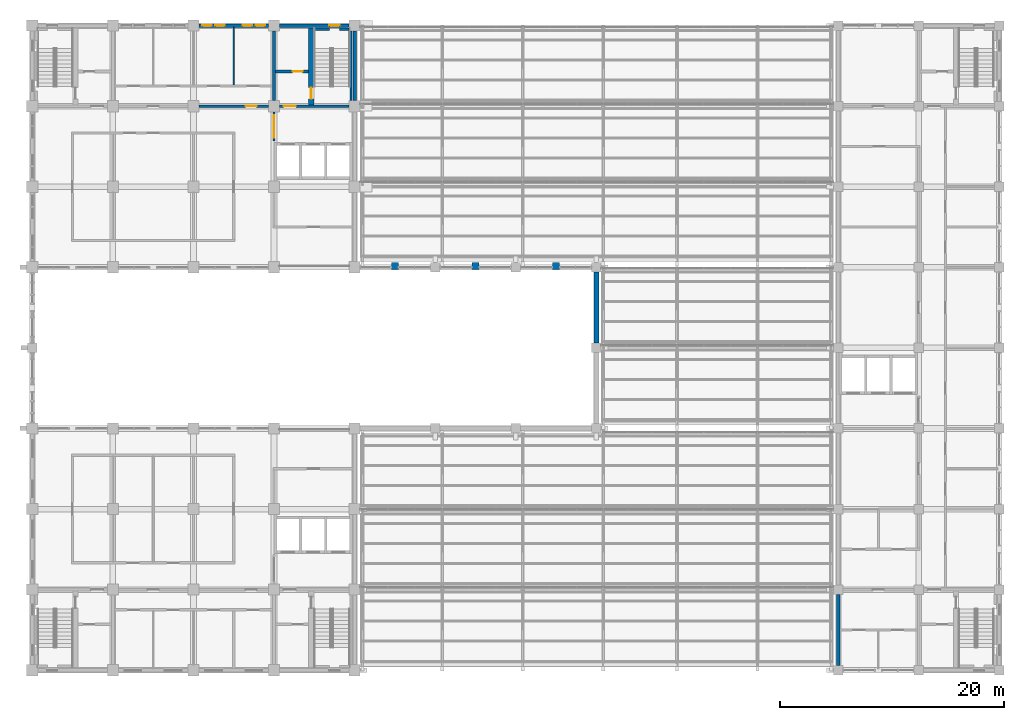
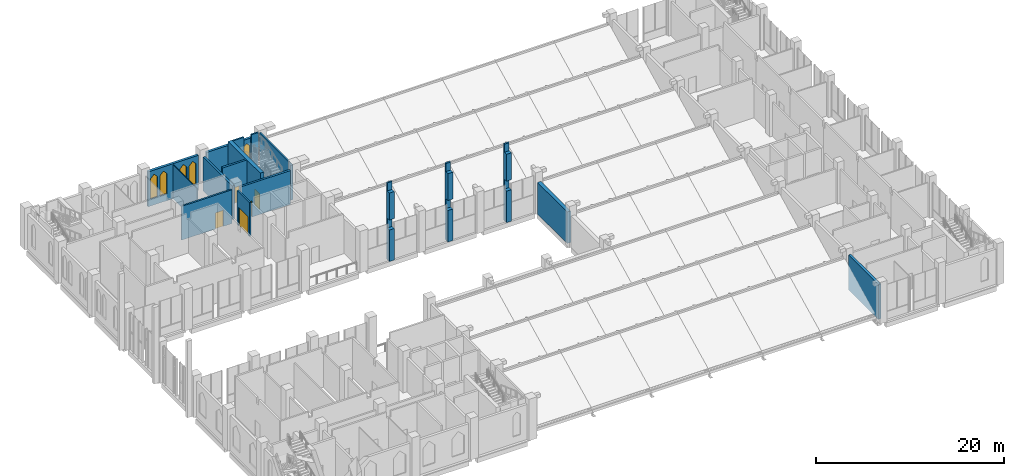
# One storey, part 73 of 83: 18 walls, 5 doors, 5 windows, 10 openings.
"""IFC4 building model written with IfcOpenShell, lengths in metres."""

import ifcopenshell
import ifcopenshell.guid

model = None  # the IFC model being written
_history = None  # IfcOwnerHistory: only IFC2X3 demands one
_inside = {}  # id of a spatial element -> (the spatial element, [elements in it])
_under = {}  # id of a project, library or spatial element -> (it, [spatial elements below it])
_declared = {}  # id of a project -> (the project, [libraries it declares])
_typed = {}  # id of a type object -> (the type object, [elements of that type])
_made_of = {}  # id of a material, layer set ... -> (it, [elements and type objects made of it])


def new_model(schema):
    """Start an empty IFC model of exactly this schema.

    Asked for "IFC4X3", IfcOpenShell would pick the latest addendum, in which some entities
    have other attributes; the version numbers below select the first issue.
    IFC2X3 requires an IfcOwnerHistory on every rooted entity: one is made here for all.
    """
    global model, _history
    if schema == "IFC4X3":
        model = ifcopenshell.file(schema_version=(4, 3, 0, 0))
    else:
        model = ifcopenshell.file(schema=schema)
    _inside.clear()
    _under.clear()
    _declared.clear()
    _typed.clear()
    _made_of.clear()
    _history = None
    if model.schema == "IFC2X3":
        org = make("IfcOrganization", Name="unknown")
        user = make(
            "IfcPersonAndOrganization",
            ThePerson=make("IfcPerson", FamilyName="unknown"),
            TheOrganization=org,
        )
        app = make(
            "IfcApplication",
            ApplicationDeveloper=org,
            Version="unknown",
            ApplicationFullName="unknown",
            ApplicationIdentifier="unknown",
        )
        _history = make(
            "IfcOwnerHistory",
            OwningUser=user,
            OwningApplication=app,
            ChangeAction="ADDED",
            CreationDate=0,
        )
    return model


def make(cls, **values):
    """One entity of the class cls with the attributes given. An attribute that is None is left unset."""
    return model.create_entity(
        cls, **{name: value for name, value in values.items() if value is not None}
    )


def rooted(cls, **values):
    """An entity with a GlobalId (a new one), such as an element, a storey or a relation."""
    return make(cls, GlobalId=ifcopenshell.guid.new(), OwnerHistory=_history, **values)


def si_unit(unit_type, name, prefix=None):
    """IfcSIUnit, for example si_unit("LENGTHUNIT", "METRE", prefix="MILLI")."""
    return make("IfcSIUnit", UnitType=unit_type, Prefix=prefix, Name=name)


def assignment(units):
    """IfcUnitAssignment: the units of a project."""
    return None if units is None else make("IfcUnitAssignment", Units=units)


def point(xyz):
    """IfcCartesianPoint."""
    return None if xyz is None else make("IfcCartesianPoint", Coordinates=xyz)


def direction(xyz):
    """IfcDirection."""
    return None if xyz is None else make("IfcDirection", DirectionRatios=xyz)


def frame(location, z_axis=None, x_axis=None):
    """IfcAxis2Placement3D, a coordinate frame: its origin and axes. An axis left out is left unset."""
    return make(
        "IfcAxis2Placement3D",
        Location=point(location),
        Axis=direction(z_axis),
        RefDirection=direction(x_axis),
    )


def frame_2d(location, x_axis=None):
    """IfcAxis2Placement2D, a coordinate frame in the plane: its origin and x axis."""
    return make(
        "IfcAxis2Placement2D", Location=point(location), RefDirection=direction(x_axis)
    )


def origin():
    """The frame at (0, 0, 0) with its axes left unset."""
    return frame((0.0, 0.0, 0.0))


def place(relative_to, where):
    """IfcLocalPlacement: puts the frame where relative to a parent placement (None: the world)."""
    return make(
        "IfcLocalPlacement", PlacementRelTo=relative_to, RelativePlacement=where
    )


def context(
    kind, dimensions, precision=None, world=None, true_north=None, identifier=None
):
    """IfcGeometricRepresentationContext, for example the 3D "Model" context."""
    return make(
        "IfcGeometricRepresentationContext",
        ContextIdentifier=identifier,
        ContextType=kind,
        CoordinateSpaceDimension=dimensions,
        Precision=precision,
        WorldCoordinateSystem=world,
        TrueNorth=true_north,
    )


def subcontext(parent, identifier, kind, view, scale=None):
    """IfcGeometricRepresentationSubContext, for example "Body" below "Model"."""
    return make(
        "IfcGeometricRepresentationSubContext",
        ContextIdentifier=identifier,
        ContextType=kind,
        ParentContext=parent,
        TargetScale=scale,
        TargetView=view,
    )


def project(units=None, contexts=None):
    """IfcProject with its units and contexts."""
    return rooted(
        "IfcProject",
        Name="project",
        RepresentationContexts=contexts,
        UnitsInContext=assignment(units),
    )


def spatial(cls, under=None, at=None, **own):
    """A site, building, storey or space (cls), placed at a placement, below another one or the project."""
    s = rooted(cls, ObjectPlacement=at, **own)
    if under is not None:
        _under.setdefault(under.id(), (under, []))[1].append(s)
    return s


def polyline(points):
    """IfcPolyline through the points."""
    return make("IfcPolyline", Points=[point(p) for p in points])


def profile(cls, at=None, kind="AREA", **sizes):
    """A parametric profile (cls). Its sizes go by their IFC names, for example OverallWidth=200.0."""
    return make(cls, ProfileType=kind, Position=at, **sizes)


def rectangle(**sizes):
    """IfcRectangleProfileDef."""
    return profile("IfcRectangleProfileDef", **sizes)


def outline(outer, holes=None, kind="AREA"):
    """IfcArbitraryClosedProfileDef: a profile drawn as a closed curve; with holes, ...WithVoids."""
    if holes is None:
        return make("IfcArbitraryClosedProfileDef", ProfileType=kind, OuterCurve=outer)
    return make(
        "IfcArbitraryProfileDefWithVoids",
        ProfileType=kind,
        OuterCurve=outer,
        InnerCurves=holes,
    )


def extrude(swept, where, along, depth):
    """IfcExtrudedAreaSolid: the profile swept, set in the frame where, extruded along a direction by depth."""
    return make(
        "IfcExtrudedAreaSolid",
        SweptArea=swept,
        Position=where,
        ExtrudedDirection=direction(along),
        Depth=depth,
    )


def shape(context_of_items, identifier, shape_type, items):
    """IfcShapeRepresentation: the items that make up one representation, for example the "Body"."""
    return make(
        "IfcShapeRepresentation",
        ContextOfItems=context_of_items,
        RepresentationIdentifier=identifier,
        RepresentationType=shape_type,
        Items=items,
    )


def material(Name=None, Category=None):
    """IfcMaterial."""
    return make("IfcMaterial", Name=Name, Category=Category)


def layer(
    of_material, thickness, ventilated=None, Name=None, Category=None, Priority=None
):
    """IfcMaterialLayer: one layer of a wall or slab, of a material (None: an air gap)."""
    return make(
        "IfcMaterialLayer",
        Material=of_material,
        LayerThickness=thickness,
        IsVentilated=ventilated,
        Name=Name,
        Category=Category,
        Priority=Priority,
    )


def layer_set(layers, Name=None):
    """IfcMaterialLayerSet."""
    return make("IfcMaterialLayerSet", MaterialLayers=layers, LayerSetName=Name)


def made_of(thing, what):
    """Note that an element or type object is made of a material, layer set ...; save() writes the relation."""
    if what is not None:
        _made_of.setdefault(what.id(), (what, []))[1].append(thing)
    return thing


def type_object(cls, material=None, **own):
    """A type object (cls), such as IfcWallType, which elements share."""
    return made_of(rooted(cls, **own), material)


def element(
    cls,
    number,
    at=None,
    inside=None,
    cuts=None,
    type_object=None,
    material=None,
    context=None,
    identifier="Body",
    shape_type=None,
    held_by="IfcProductDefinitionShape",
    body=None,
    shapes=None,
    **own,
):
    """One element of the class cls, such as IfcWall. Its Tag is "e" and its number.

    at: its placement. inside: the storey or other place that contains it. cuts: it is an
    opening in that element (IfcRelVoidsElement). A single representation is given by context,
    identifier, shape_type and body (its items); several are given by shapes. held_by: the class
    of the entity that holds the representations. save() writes the other relations.
    """
    e = rooted(cls, Tag="e%d" % number, ObjectPlacement=at, **own)
    if body is not None:
        shapes = [shape(context, identifier, shape_type, body)]
    if shapes is not None:
        e.Representation = make(held_by, Representations=shapes)
    if inside is not None:
        _inside.setdefault(inside.id(), (inside, []))[1].append(e)
    if cuts is not None:
        rooted(
            "IfcRelVoidsElement", RelatingBuildingElement=cuts, RelatedOpeningElement=e
        )
    if type_object is not None:
        _typed.setdefault(type_object.id(), (type_object, []))[1].append(e)
    return made_of(e, material)


def fill(opening, filler):
    """IfcRelFillsElement: the door or window that sits in an opening."""
    return rooted(
        "IfcRelFillsElement",
        RelatingOpeningElement=opening,
        RelatedBuildingElement=filler,
    )


def aggregate(whole, parts):
    """IfcRelAggregates: a whole, such as a stair, and the parts it consists of."""
    return rooted("IfcRelAggregates", RelatingObject=whole, RelatedObjects=parts)


def save(model, path):
    """Write the relations noted so far, then the file.

    IfcRelAggregates (storeys below a building ...), IfcRelContainedInSpatialStructure (elements
    in a storey), IfcRelDefinesByType, IfcRelAssociatesMaterial and IfcRelDeclares: one each for
    every whole, place, type object, material and project.
    """
    for whole, parts in _under.values():
        aggregate(whole, parts)
    for where, things in _inside.values():
        rooted(
            "IfcRelContainedInSpatialStructure",
            RelatedElements=things,
            RelatingStructure=where,
        )
    for kind, things in _typed.values():
        rooted("IfcRelDefinesByType", RelatedObjects=things, RelatingType=kind)
    for what, things in _made_of.values():
        rooted("IfcRelAssociatesMaterial", RelatedObjects=things, RelatingMaterial=what)
    for by, libraries in _declared.values():
        rooted("IfcRelDeclares", RelatingContext=by, RelatedDefinitions=libraries)
    model.write(path)


model = new_model("IFC4")

# Units and contexts
model_context = context("Model", 3, precision=1e-05, world=origin(), true_north=direction((0.0, 1.0)))
body_context = subcontext(model_context, "Body", "Model", "MODEL_VIEW")
ifc_project = project(units=[si_unit("LENGTHUNIT", "METRE"), si_unit("AREAUNIT", "SQUARE_METRE"), si_unit("VOLUMEUNIT", "CUBIC_METRE"), si_unit("PLANEANGLEUNIT", "RADIAN"), si_unit("MASSUNIT", "GRAM", prefix="KILO")], contexts=[model_context])

# Site, building, storey
site_placement = place(None, origin())
site = spatial("IfcSite", under=ifc_project, at=site_placement, CompositionType="ELEMENT")
building_placement = place(site_placement, origin())
building = spatial("IfcBuilding", under=site, at=building_placement, Name="Silangan Lancet Faculty of Sciences", CompositionType="ELEMENT")
storey_placement = place(building_placement, frame((0.0, 0.0, 11.39990234375)))
storey = spatial("IfcBuildingStorey", under=building, at=storey_placement, Name="L02", CompositionType="ELEMENT", Elevation=11.39990234375)

# Wall, opening, window
ifc_material_1 = material(Name="Concrete C40/50 precast", Category="concrete")
ifc_layer_1 = layer(ifc_material_1, 0.300048828125)
ifc_layer_set_1 = layer_set([ifc_layer_1], Name="Concrete C40/50 precast")
wall_type_1 = type_object("IfcWallType", Name="EW2 Turret enclosure wall", PredefinedType="STANDARD", material=ifc_layer_set_1)
wall_1_placement = place(storey_placement, frame((28.300048828125, 57.60009765625, 0.0), z_axis=(0.0, 0.0, 1.0), x_axis=(-1.0, 0.0, 0.0)))
wall_1 = element("IfcWall", 1, at=wall_1_placement, inside=storey, type_object=wall_type_1, Name="EW-L02-N-NT-00", PredefinedType="STANDARD", context=body_context, shape_type="SweptSolid", body=[
    extrude(rectangle(XDim=6.199951171875, YDim=0.300048828125, at=frame_2d((3.10009765625, 0.0))), origin(), (0.0, 0.0, 1.0), 4.550048828125),
])
opening_1_placement = place(wall_1_placement, frame((0.85009765625, 0.0, 0.89990234375)))
opening_1 = element("IfcOpeningElement", 2, at=opening_1_placement, cuts=wall_1, Name="Opening W8", PredefinedType="OPENING", context=body_context, shape_type="SweptSolid", body=[
    extrude(outline(polyline([(0.0, 0.0), (0.89990234375, 0.0), (0.89990234375, 2.650146484375), (0.449951171875, 3.10009765625), (0.0, 2.650146484375), (0.0, 0.0)])), frame((0.0, 0.159912109375, 0.0), z_axis=(0.0, -1.0, 0.0), x_axis=(1.0, 0.0, 0.0)), (0.0, 0.0, 1.0), 0.320068359375),
])
ifc_material_2 = material(Name="Aluminium frame, laminated double glazing", Category="aluminium")
window_type_1 = type_object("IfcWindowType", Name="W8 Lancet window 900 x 3100", PartitioningType="SINGLE_PANEL", PredefinedType="WINDOW", material=ifc_material_2)
window_1_placement = place(opening_1_placement, origin())
window_1 = element("IfcWindow", 3, at=window_1_placement, inside=storey, type_object=window_type_1, Name="WIN-L02-N-NT-00a", OverallHeight=3.10009765625, OverallWidth=0.89990234375, PartitioningType="SINGLE_PANEL", PredefinedType="WINDOW", context=body_context, shape_type="SweptSolid", body=[
    extrude(outline(polyline([(0.0, 0.0), (0.89990234375, 0.0), (0.89990234375, 2.650146484375), (0.449951171875, 3.10009765625), (0.0, 2.650146484375), (0.0, 0.0)])), frame((0.0, 0.030029296875, 0.0), z_axis=(0.0, -1.0, 0.0), x_axis=(1.0, 0.0, 0.0)), (0.0, 0.0, 1.0), 0.06005859375),
])
fill(opening_1, window_1)

# Wall
wall_2_placement = place(storey_placement, frame((28.800048828125, 50.89990234375, 0.0), z_axis=(0.0, 0.0, 1.0), x_axis=(0.0, 1.0, 0.0)))
element("IfcWall", 4, at=wall_2_placement, inside=storey, type_object=wall_type_1, Name="EW-L02-E-NT-02", PredefinedType="STANDARD", context=body_context, shape_type="SweptSolid", body=[
    extrude(rectangle(XDim=6.2001953125, YDim=0.300048828125, at=frame_2d((3.10009765625, 0.0))), origin(), (0.0, 0.0, 1.0), 4.550048828125),
])

# Wall, openings, windows
ifc_material_3 = material(Name="Concrete C40/50", Category="concrete")
ifc_layer_2 = layer(ifc_material_3, 0.300048828125)
ifc_layer_set_2 = layer_set([ifc_layer_2], Name="Concrete C40/50")
wall_type_2 = type_object("IfcWallType", Name="EW6 Stone-faced base wall", PredefinedType="STANDARD", material=ifc_layer_set_2)
wall_3_placement = place(storey_placement, frame((21.10009765625, 57.60009765625, 0.0), z_axis=(0.0, 0.0, 1.0), x_axis=(-1.0, 0.0, 0.0)))
wall_3 = element("IfcWall", 5, at=wall_3_placement, inside=storey, type_object=wall_type_2, Name="EW-L02-N-NT-01", PredefinedType="STANDARD", context=body_context, shape_type="SweptSolid", body=[
    extrude(rectangle(XDim=6.2001953125, YDim=0.300048828125, at=frame_2d((3.10009765625, 0.0))), origin(), (0.0, 0.0, 1.0), 4.550048828125),
])
opening_2_placement = place(wall_3_placement, frame((0.300048828125, 0.0, 0.89990234375)))
opening_2 = element("IfcOpeningElement", 6, at=opening_2_placement, cuts=wall_3, Name="Opening W9", PredefinedType="OPENING", context=body_context, shape_type="SweptSolid", body=[
    extrude(outline(polyline([(0.0, 0.0), (0.85009765625, 0.0), (0.85009765625, 2.650146484375), (0.425048828125, 3.10009765625), (0.0, 2.650146484375), (0.0, 0.0)])), frame((0.0, 0.159912109375, 0.0), z_axis=(0.0, -1.0, 0.0), x_axis=(1.0, 0.0, 0.0)), (0.0, 0.0, 1.0), 0.320068359375),
])
opening_3_placement = place(wall_3_placement, frame((1.449951171875, 0.0, 0.89990234375)))
opening_3 = element("IfcOpeningElement", 7, at=opening_3_placement, cuts=wall_3, Name="Opening W9", PredefinedType="OPENING", context=body_context, shape_type="SweptSolid", body=[
    extrude(outline(polyline([(0.0, 0.0), (0.85009765625, 0.0), (0.85009765625, 2.650146484375), (0.425048828125, 3.10009765625), (0.0, 2.650146484375), (0.0, 0.0)])), frame((0.0, 0.159912109375, 0.0), z_axis=(0.0, -1.0, 0.0), x_axis=(1.0, 0.0, 0.0)), (0.0, 0.0, 1.0), 0.320068359375),
])
opening_4_placement = place(wall_3_placement, frame((3.89990234375, 0.0, 0.89990234375)))
opening_4 = element("IfcOpeningElement", 8, at=opening_4_placement, cuts=wall_3, Name="Opening W9", PredefinedType="OPENING", context=body_context, shape_type="SweptSolid", body=[
    extrude(outline(polyline([(0.0, 0.0), (0.85009765625, 0.0), (0.85009765625, 2.650146484375), (0.425048828125, 3.10009765625), (0.0, 2.650146484375), (0.0, 0.0)])), frame((0.0, 0.159912109375, 0.0), z_axis=(0.0, -1.0, 0.0), x_axis=(1.0, 0.0, 0.0)), (0.0, 0.0, 1.0), 0.320068359375),
])
opening_5_placement = place(wall_3_placement, frame((5.050048828125, 0.0, 0.89990234375)))
opening_5 = element("IfcOpeningElement", 9, at=opening_5_placement, cuts=wall_3, Name="Opening W9", PredefinedType="OPENING", context=body_context, shape_type="SweptSolid", body=[
    extrude(outline(polyline([(0.0, 0.0), (0.85009765625, 0.0), (0.85009765625, 2.650146484375), (0.425048828125, 3.10009765625), (0.0, 2.650146484375), (0.0, 0.0)])), frame((0.0, 0.159912109375, 0.0), z_axis=(0.0, -1.0, 0.0), x_axis=(1.0, 0.0, 0.0)), (0.0, 0.0, 1.0), 0.320068359375),
])
ifc_material_4 = material(Name="Aluminium frame, laminated double glazing", Category="aluminium")
window_type_2 = type_object("IfcWindowType", Name="W9 Lancet window 850 x 3100", PartitioningType="SINGLE_PANEL", PredefinedType="WINDOW", material=ifc_material_4)
window_2_placement = place(opening_2_placement, origin())
window_2 = element("IfcWindow", 10, at=window_2_placement, inside=storey, type_object=window_type_2, Name="WIN-L02-N-NT-01a1", OverallHeight=3.10009765625, OverallWidth=0.85009765625, PartitioningType="SINGLE_PANEL", PredefinedType="WINDOW", context=body_context, shape_type="SweptSolid", body=[
    extrude(outline(polyline([(0.0, 0.0), (0.85009765625, 0.0), (0.85009765625, 2.650146484375), (0.425048828125, 3.10009765625), (0.0, 2.650146484375), (0.0, 0.0)])), frame((0.0, 0.030029296875, 0.0), z_axis=(0.0, -1.0, 0.0), x_axis=(1.0, 0.0, 0.0)), (0.0, 0.0, 1.0), 0.06005859375),
])
fill(opening_2, window_2)
window_3_placement = place(opening_3_placement, origin())
window_3 = element("IfcWindow", 11, at=window_3_placement, inside=storey, type_object=window_type_2, Name="WIN-L02-N-NT-01a2", OverallHeight=3.10009765625, OverallWidth=0.85009765625, PartitioningType="SINGLE_PANEL", PredefinedType="WINDOW", context=body_context, shape_type="SweptSolid", body=[
    extrude(outline(polyline([(0.0, 0.0), (0.85009765625, 0.0), (0.85009765625, 2.650146484375), (0.425048828125, 3.10009765625), (0.0, 2.650146484375), (0.0, 0.0)])), frame((0.0, 0.030029296875, 0.0), z_axis=(0.0, -1.0, 0.0), x_axis=(1.0, 0.0, 0.0)), (0.0, 0.0, 1.0), 0.06005859375),
])
fill(opening_3, window_3)
window_4_placement = place(opening_4_placement, origin())
window_4 = element("IfcWindow", 12, at=window_4_placement, inside=storey, type_object=window_type_2, Name="WIN-L02-N-NT-01b1", OverallHeight=3.10009765625, OverallWidth=0.85009765625, PartitioningType="SINGLE_PANEL", PredefinedType="WINDOW", context=body_context, shape_type="SweptSolid", body=[
    extrude(outline(polyline([(0.0, 0.0), (0.85009765625, 0.0), (0.85009765625, 2.650146484375), (0.425048828125, 3.10009765625), (0.0, 2.650146484375), (0.0, 0.0)])), frame((0.0, 0.030029296875, 0.0), z_axis=(0.0, -1.0, 0.0), x_axis=(1.0, 0.0, 0.0)), (0.0, 0.0, 1.0), 0.06005859375),
])
fill(opening_4, window_4)
window_5_placement = place(opening_5_placement, origin())
window_5 = element("IfcWindow", 13, at=window_5_placement, inside=storey, type_object=window_type_2, Name="WIN-L02-N-NT-01b2", OverallHeight=3.10009765625, OverallWidth=0.85009765625, PartitioningType="SINGLE_PANEL", PredefinedType="WINDOW", context=body_context, shape_type="SweptSolid", body=[
    extrude(outline(polyline([(0.0, 0.0), (0.85009765625, 0.0), (0.85009765625, 2.650146484375), (0.425048828125, 3.10009765625), (0.0, 2.650146484375), (0.0, 0.0)])), frame((0.0, 0.030029296875, 0.0), z_axis=(0.0, -1.0, 0.0), x_axis=(1.0, 0.0, 0.0)), (0.0, 0.0, 1.0), 0.06005859375),
])
fill(opening_5, window_5)

# Walls
wall_4_placement = place(storey_placement, frame((72.0, 0.425048828125, 0.0), z_axis=(0.0, 0.0, 1.0), x_axis=(0.0, 1.0, 0.0)))
element("IfcWall", 14, at=wall_4_placement, inside=storey, type_object=wall_type_2, Name="EW-L02-W-EB-00", PredefinedType="STANDARD", context=body_context, shape_type="SweptSolid", body=[
    extrude(rectangle(XDim=6.349853515625, YDim=0.300048828125, at=frame_2d((3.1748046875, 0.0))), origin(), (0.0, 0.0, 1.0), 4.550048828125),
])
ifc_material_5 = material(Name="Concrete C40/50", Category="concrete")
ifc_layer_3 = layer(ifc_material_5, 0.449951171875)
ifc_layer_set_3 = layer_set([ifc_layer_3], Name="Concrete C40/50")
wall_type_3 = type_object("IfcWallType", Name="EW8 Clerestory wall with deep reveals", PredefinedType="STANDARD", material=ifc_layer_set_3)
wall_5_placement = place(storey_placement, frame((50.39990234375, 29.22509765625, 0.0), z_axis=(0.0, 0.0, 1.0), x_axis=(0.0, 1.0, 0.0)))
element("IfcWall", 15, at=wall_5_placement, inside=storey, type_object=wall_type_3, Name="EW-L02-E-NAVE-01", PredefinedType="STANDARD", context=body_context, shape_type="SweptSolid", body=[
    extrude(rectangle(XDim=6.349853515625, YDim=0.449951171875, at=frame_2d((3.1748046875, 0.0))), origin(), (0.0, 0.0, 1.0), 4.10009765625),
])
ifc_material_6 = material(Name="Concrete C40/50 precast", Category="concrete")
ifc_layer_4 = layer(ifc_material_6, 0.60009765625)
ifc_layer_set_4 = layer_set([ifc_layer_4], Name="Concrete C40/50 precast")
wall_type_4 = type_object("IfcWallType", Name="FN7 Buttress Fin mid-bay stage 1 9950", PredefinedType="POLYGONAL", material=ifc_layer_set_4)
for number, where, z_axis, x_axis, name in (
    (16, (46.800048828125, 35.800048828125, 0.0), (0.0, 0.0, 1.0), (0.0, 1.0, 0.0), "FIN-CL-N-1"),
    (17, (39.60009765625, 35.800048828125, 0.0), (0.0, 0.0, 1.0), (0.0, 1.0, 0.0), "FIN-CL-N-3"),
    (18, (32.39990234375, 35.800048828125, 0.0), (0.0, 0.0, 1.0), (0.0, 1.0, 0.0), "FIN-CL-N-5"),
):
    element("IfcWall", number, at=place(storey_placement, frame(where, z_axis=z_axis, x_axis=x_axis)), inside=storey, type_object=wall_type_4, Name=name, PredefinedType="POLYGONAL", context=body_context, shape_type="SweptSolid", body=[
        extrude(outline(polyline([(0.64990234375, 0.0), (0.64990234375, 9.9501953125), (0.449951171875, 9.9501953125), (0.449951171875, 8.900146484375), (0.0, 8.900146484375), (0.0, 5.400146484375), (0.449951171875, 5.400146484375), (0.449951171875, 4.10009765625), (0.0, 4.10009765625), (0.0, 0.0), (0.64990234375, 0.0)])), frame((0.0, 0.300048828125, 0.0), z_axis=(0.0, -1.0, 0.0), x_axis=(1.0, 0.0, 0.0)), (0.0, 0.0, 1.0), 0.60009765625),
    ])

# Wall, opening, door
ifc_material_7 = material(Name="Hollow block masonry fm 7 MPa", Category="masonry")
ifc_layer_5 = layer(ifc_material_7, 0.199951171875)
ifc_layer_set_5 = layer_set([ifc_layer_5], Name="Hollow block masonry fm 7 MPa")
wall_type_5 = type_object("IfcWallType", Name="Interior wall PW1 Corridor wall CHB 200", PredefinedType="PARTITIONING", material=ifc_layer_set_5)
wall_6_placement = place(storey_placement, frame((14.89990234375, 50.39990234375, 0.0), z_axis=(0.0, 0.0, 1.0), x_axis=(1.0, 0.0, 0.0)))
wall_6 = element("IfcWall", 19, at=wall_6_placement, inside=storey, type_object=wall_type_5, Name="Corridor wall CHB 200", PredefinedType="PARTITIONING", context=body_context, shape_type="SweptSolid", body=[
    extrude(rectangle(XDim=6.2001953125, YDim=0.199951171875, at=frame_2d((3.10009765625, 0.0))), origin(), (0.0, 0.0, 1.0), 4.400146484375),
])
opening_6_placement = place(wall_6_placement, frame((4.150146484375, 0.0, 0.0)))
opening_6 = element("IfcOpeningElement", 20, at=opening_6_placement, cuts=wall_6, Name="Opening L02-006", PredefinedType="OPENING", context=body_context, shape_type="SweptSolid", body=[
    extrude(rectangle(XDim=1.0, YDim=2.10009765625, at=frame_2d((0.5, 1.050048828125))), frame((0.0, 0.10986328125, 0.0), z_axis=(0.0, -1.0, 0.0), x_axis=(1.0, 0.0, 0.0)), (0.0, 0.0, 1.0), 0.219970703125),
])
ifc_material_8 = material(Name="Steel fire door set", Category="steel")
door_type_1 = type_object("IfcDoorType", Name="Door D1 Single leaf fire door 1000 x 2100", OperationType="SINGLE_SWING_LEFT", PredefinedType="DOOR", material=ifc_material_8)
door_1_placement = place(opening_6_placement, origin())
door_1 = element("IfcDoor", 21, at=door_1_placement, inside=storey, type_object=door_type_1, Name="Single leaf fire door 1000 x 2100", OperationType="SINGLE_SWING_RIGHT", OverallHeight=2.10009765625, OverallWidth=1.0, PredefinedType="DOOR", context=body_context, shape_type="SweptSolid", body=[
    extrude(rectangle(XDim=1.0, YDim=2.10009765625, at=frame_2d((0.5, 1.050048828125))), frame((0.0, 0.02490234375, 0.0), z_axis=(0.0, -1.0, 0.0), x_axis=(1.0, 0.0, 0.0)), (0.0, 0.0, 1.0), 0.050048828125),
])
fill(opening_6, door_1)

# Wall
ifc_material_9 = material(Name="Hollow block masonry fm 7 MPa", Category="masonry")
ifc_layer_6 = layer(ifc_material_9, 0.10009765625)
ifc_layer_set_6 = layer_set([ifc_layer_6], Name="Hollow block masonry fm 7 MPa")
wall_type_6 = type_object("IfcWallType", Name="Interior wall PW8 WC partition CHB 100", PredefinedType="PARTITIONING", material=ifc_layer_set_6)
wall_7_placement = place(storey_placement, frame((18.0, 52.300048828125, 0.0), z_axis=(0.0, 0.0, 1.0), x_axis=(0.0, 1.0, 0.0)))
element("IfcWall", 22, at=wall_7_placement, inside=storey, type_object=wall_type_6, Name="WC partition CHB 100", PredefinedType="PARTITIONING", context=body_context, shape_type="SweptSolid", body=[
    extrude(rectangle(XDim=5.14990234375, YDim=0.10009765625, at=frame_2d((2.574951171875, 0.0))), origin(), (0.0, 0.0, 1.0), 4.400146484375),
])

# Wall, opening, door
ifc_material_10 = material(Name="Hollow block masonry fm 7 MPa", Category="masonry")
ifc_layer_7 = layer(ifc_material_10, 0.199951171875)
ifc_layer_set_7 = layer_set([ifc_layer_7], Name="Hollow block masonry fm 7 MPa")
wall_type_7 = type_object("IfcWallType", Name="Interior wall PW9 Lift lobby wall CHB 200", PredefinedType="PARTITIONING", material=ifc_layer_set_7)
wall_8_placement = place(storey_placement, frame((21.60009765625, 47.27490234375, 0.0), z_axis=(0.0, 0.0, 1.0), x_axis=(0.0, 1.0, 0.0)))
wall_8 = element("IfcWall", 23, at=wall_8_placement, inside=storey, type_object=wall_type_7, Name="Lift lobby wall CHB 200", PredefinedType="PARTITIONING", context=body_context, shape_type="SweptSolid", body=[
    extrude(rectangle(XDim=2.625, YDim=0.199951171875, at=frame_2d((1.3125, 0.0))), origin(), (0.0, 0.0, 1.0), 4.400146484375),
])
opening_7_placement = place(wall_8_placement, frame((0.3125, 0.0, 0.0)))
opening_7 = element("IfcOpeningElement", 24, at=opening_7_placement, cuts=wall_8, Name="Opening L02-004", PredefinedType="OPENING", context=body_context, shape_type="SweptSolid", body=[
    extrude(rectangle(XDim=2.0, YDim=2.39990234375, at=frame_2d((1.0, 1.199951171875))), frame((0.0, 0.10986328125, 0.0), z_axis=(0.0, -1.0, 0.0), x_axis=(1.0, 0.0, 0.0)), (0.0, 0.0, 1.0), 0.219970703125),
])
ifc_material_11 = material(Name="Steel fire door set", Category="steel")
door_type_2 = type_object("IfcDoorType", Name="Door D5 Lift lobby double fire door 2000 x 2400", OperationType="DOUBLE_DOOR_SINGLE_SWING", PredefinedType="DOOR", material=ifc_material_11)
door_2_placement = place(opening_7_placement, origin())
door_2 = element("IfcDoor", 25, at=door_2_placement, inside=storey, type_object=door_type_2, Name="Lift lobby double fire door 2000 x 2400", OperationType="DOUBLE_DOOR_SINGLE_SWING", OverallHeight=2.39990234375, OverallWidth=2.0, PredefinedType="DOOR", context=body_context, shape_type="SweptSolid", body=[
    extrude(rectangle(XDim=2.0, YDim=2.39990234375, at=frame_2d((1.0, 1.199951171875))), frame((0.0, 0.02490234375, 0.0), z_axis=(0.0, -1.0, 0.0), x_axis=(1.0, 0.0, 0.0)), (0.0, 0.0, 1.0), 0.050048828125),
])
fill(opening_7, door_2)

ifc_material_12 = material(Name="Concrete C40/50", Category="concrete")
ifc_layer_8 = layer(ifc_material_12, 0.449951171875)
ifc_layer_set_8 = layer_set([ifc_layer_8], Name="Concrete C40/50")
wall_type_8 = type_object("IfcWallType", Name="TURRET CORE WALL RC 450", PredefinedType="SHEAR", material=ifc_layer_set_8)
wall_9_placement = place(storey_placement, frame((24.925048828125, 50.52490234375, 0.0), z_axis=(0.0, 0.0, 1.0), x_axis=(0.0, 1.0, 0.0)))
wall_9 = element("IfcWall", 26, at=wall_9_placement, inside=storey, type_object=wall_type_8, Name="WALL-L02-NT-B-WELL", PredefinedType="SHEAR", context=body_context, shape_type="SweptSolid", body=[
    extrude(rectangle(XDim=6.85009765625, YDim=0.449951171875, at=frame_2d((3.425048828125, 0.0))), origin(), (0.0, 0.0, 1.0), 5.150146484375),
])
opening_8_placement = place(wall_9_placement, frame((0.52490234375, 0.0, 0.0)))
opening_8 = element("IfcOpeningElement", 27, at=opening_8_placement, cuts=wall_9, Name="Opening L02-710", PredefinedType="OPENING", context=body_context, shape_type="SweptSolid", body=[
    extrude(rectangle(XDim=1.0, YDim=2.10009765625, at=frame_2d((0.5, 1.050048828125))), frame((0.0, 0.23486328125, 0.0), z_axis=(0.0, -1.0, 0.0), x_axis=(1.0, 0.0, 0.0)), (0.0, 0.0, 1.0), 0.469970703125),
])
ifc_material_13 = material(Name="Steel fire door set", Category="steel")
door_type_3 = type_object("IfcDoorType", Name="D71 Stair enclosure door 1000x2100", OperationType="SINGLE_SWING_LEFT", PredefinedType="DOOR", material=ifc_material_13)
door_3_placement = place(opening_8_placement, frame((1.0, 0.0, 0.0), z_axis=(0.0, 0.0, 1.0), x_axis=(-1.0, 0.0, 0.0)))
door_3 = element("IfcDoor", 28, at=door_3_placement, inside=storey, type_object=door_type_3, Name="Stair enclosure door NT-B L02", OperationType="SINGLE_SWING_RIGHT", OverallHeight=2.10009765625, OverallWidth=1.0, PredefinedType="DOOR", context=body_context, shape_type="SweptSolid", body=[
    extrude(rectangle(XDim=1.0, YDim=2.10009765625, at=frame_2d((0.5, 1.050048828125))), frame((0.0, 0.025146484375, 0.0), z_axis=(0.0, -1.0, 0.0), x_axis=(1.0, 0.0, 0.0)), (0.0, 0.0, 1.0), 0.050048828125),
])
fill(opening_8, door_3)

# Walls
ifc_material_14 = material(Name="Concrete C40/50", Category="concrete")
ifc_layer_9 = layer(ifc_material_14, 0.199951171875)
ifc_layer_set_9 = layer_set([ifc_layer_9], Name="Concrete C40/50")
wall_type_9 = type_object("IfcWallType", Name="TURRET LINING WALL RC 200", PredefinedType="SHEAR", material=ifc_layer_set_9)
wall_10_placement = place(storey_placement, frame((28.47509765625, 50.89990234375, -0.25), z_axis=(0.0, 0.0, 1.0), x_axis=(0.0, 1.0, 0.0)))
element("IfcWall", 29, at=wall_10_placement, inside=storey, type_object=wall_type_9, Name="WALL-L02-NT-B-WL", PredefinedType="SHEAR", context=body_context, shape_type="SweptSolid", body=[
    extrude(rectangle(XDim=6.2001953125, YDim=0.199951171875, at=frame_2d((3.10009765625, 0.0))), origin(), (0.0, 0.0, 1.0), 5.400146484375),
])
wall_11_placement = place(storey_placement, frame((25.14990234375, 57.27490234375, -0.25), z_axis=(0.0, 0.0, 1.0), x_axis=(1.0, 0.0, 0.0)))
element("IfcWall", 30, at=wall_11_placement, inside=storey, type_object=wall_type_9, Name="WALL-L02-NT-B-WLD", PredefinedType="SHEAR", context=body_context, shape_type="SweptSolid", body=[
    extrude(rectangle(XDim=1.400146484375, YDim=0.199951171875, at=frame_2d((0.7001953125, 0.0))), origin(), (0.0, 0.0, 1.0), 5.400146484375),
])
wall_12_placement = place(storey_placement, frame((27.449951171875, 57.27490234375, -0.25), z_axis=(0.0, 0.0, 1.0), x_axis=(1.0, 0.0, 0.0)))
element("IfcWall", 31, at=wall_12_placement, inside=storey, type_object=wall_type_9, Name="WALL-L02-NT-B-WLD-2", PredefinedType="SHEAR", context=body_context, shape_type="SweptSolid", body=[
    extrude(rectangle(XDim=0.85009765625, YDim=0.199951171875, at=frame_2d((0.425048828125, 0.0))), origin(), (0.0, 0.0, 1.0), 5.400146484375),
])

# Wall, opening, door
ifc_material_15 = material(Name="Concrete C40/50", Category="concrete")
ifc_layer_10 = layer(ifc_material_15, 0.25)
ifc_layer_set_10 = layer_set([ifc_layer_10], Name="Concrete C40/50")
wall_type_10 = type_object("IfcWallType", Name="TURRET WALL RC 250", PredefinedType="SHEAR", material=ifc_layer_set_10)
wall_13_placement = place(storey_placement, frame((22.10009765625, 50.39990234375, 0.0), z_axis=(0.0, 0.0, 1.0), x_axis=(1.0, 0.0, 0.0)))
wall_13 = element("IfcWall", 32, at=wall_13_placement, inside=storey, type_object=wall_type_10, Name="WALL-L02-NT-B-V", PredefinedType="SHEAR", context=body_context, shape_type="SweptSolid", body=[
    extrude(rectangle(XDim=6.199951171875, YDim=0.25, at=frame_2d((3.10009765625, 0.0))), origin(), (0.0, 0.0, 1.0), 4.400146484375),
])
opening_9_placement = place(wall_13_placement, frame((0.35009765625, 0.0, 0.0)))
opening_9 = element("IfcOpeningElement", 33, at=opening_9_placement, cuts=wall_13, Name="Opening L02-711", PredefinedType="OPENING", context=body_context, shape_type="SweptSolid", body=[
    extrude(rectangle(XDim=1.10009765625, YDim=2.10009765625, at=frame_2d((0.550048828125, 1.050048828125))), frame((0.0, 0.135009765625, 0.0), z_axis=(0.0, -1.0, 0.0), x_axis=(1.0, 0.0, 0.0)), (0.0, 0.0, 1.0), 0.27001953125),
])
ifc_material_16 = material(Name="Steel fire door set", Category="steel")
door_type_4 = type_object("IfcDoorType", Name="D70 Stair vestibule door 1100x2100", OperationType="SINGLE_SWING_LEFT", PredefinedType="DOOR", material=ifc_material_16)
door_4_placement = place(opening_9_placement, origin())
door_4 = element("IfcDoor", 34, at=door_4_placement, inside=storey, type_object=door_type_4, Name="Stair vestibule door NT-B L02", OperationType="SINGLE_SWING_LEFT", OverallHeight=2.10009765625, OverallWidth=1.10009765625, PredefinedType="DOOR", context=body_context, shape_type="SweptSolid", body=[
    extrude(rectangle(XDim=1.10009765625, YDim=2.10009765625, at=frame_2d((0.550048828125, 1.050048828125))), frame((0.0, 0.02490234375, 0.0), z_axis=(0.0, -1.0, 0.0), x_axis=(1.0, 0.0, 0.0)), (0.0, 0.0, 1.0), 0.050048828125),
])
fill(opening_9, door_4)

# Wall
wall_14_placement = place(storey_placement, frame((21.60009765625, 50.89990234375, 0.0), z_axis=(0.0, 0.0, 1.0), x_axis=(0.0, 1.0, 0.0)))
element("IfcWall", 35, at=wall_14_placement, inside=storey, type_object=wall_type_10, Name="WALL-L02-NT-B-O", PredefinedType="SHEAR", context=body_context, shape_type="SweptSolid", body=[
    extrude(rectangle(XDim=6.2001953125, YDim=0.25, at=frame_2d((3.10009765625, 0.0))), origin(), (0.0, 0.0, 1.0), 4.400146484375),
])

# Wall, opening, door
wall_15_placement = place(storey_placement, frame((21.72509765625, 53.5, 0.0), z_axis=(0.0, 0.0, 1.0), x_axis=(1.0, 0.0, 0.0)))
wall_15 = element("IfcWall", 36, at=wall_15_placement, inside=storey, type_object=wall_type_10, Name="WALL-L02-NT-B-RISER", PredefinedType="SHEAR", context=body_context, shape_type="SweptSolid", body=[
    extrude(rectangle(XDim=2.974853515625, YDim=0.25, at=frame_2d((1.4873046875, 0.0))), origin(), (0.0, 0.0, 1.0), 5.150146484375),
])
opening_10_placement = place(wall_15_placement, frame((1.52490234375, 0.0, 0.0)))
opening_10 = element("IfcOpeningElement", 37, at=opening_10_placement, cuts=wall_15, Name="Opening L02-712", PredefinedType="OPENING", context=body_context, shape_type="SweptSolid", body=[
    extrude(rectangle(XDim=0.89990234375, YDim=2.10009765625, at=frame_2d((0.449951171875, 1.050048828125))), frame((0.0, 0.135009765625, 0.0), z_axis=(0.0, -1.0, 0.0), x_axis=(1.0, 0.0, 0.0)), (0.0, 0.0, 1.0), 0.27001953125),
])
ifc_material_17 = material(Name="Steel fire door set", Category="steel")
door_type_5 = type_object("IfcDoorType", Name="D72 Riser access door 900x2100", OperationType="SINGLE_SWING_LEFT", PredefinedType="DOOR", material=ifc_material_17)
door_5_placement = place(opening_10_placement, origin())
door_5 = element("IfcDoor", 38, at=door_5_placement, inside=storey, type_object=door_type_5, Name="Riser access door NT-B L02", OperationType="SINGLE_SWING_LEFT", OverallHeight=2.10009765625, OverallWidth=0.89990234375, PredefinedType="DOOR", context=body_context, shape_type="SweptSolid", body=[
    extrude(rectangle(XDim=0.89990234375, YDim=2.10009765625, at=frame_2d((0.449951171875, 1.050048828125))), frame((0.0, 0.02490234375, 0.0), z_axis=(0.0, -1.0, 0.0), x_axis=(1.0, 0.0, 0.0)), (0.0, 0.0, 1.0), 0.050048828125),
])
fill(opening_10, door_5)

save(model, "model.ifc")
